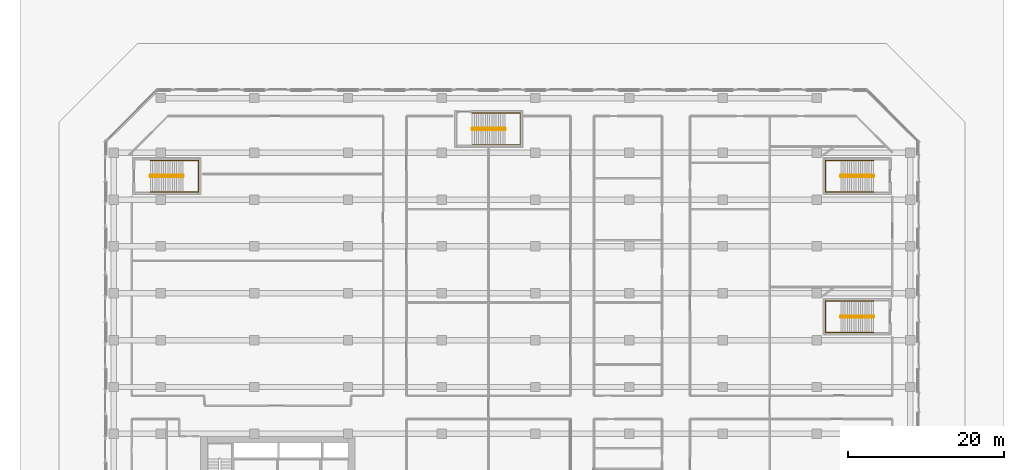
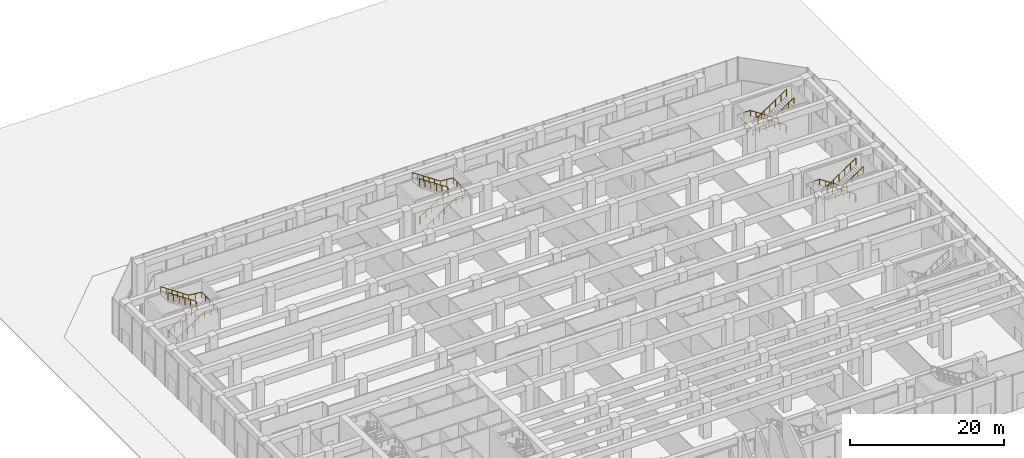
# One storey, part 31 of 32: 8 railings.
"""IFC4 building model written with IfcOpenShell, lengths in metres."""

from ifc_helpers import new_model, si_unit, direction, frame, origin, origin_2d, place, context, subcontext, project, spatial, circle, extrude, material, type_object, element, save


model = new_model("IFC4")

# Units and contexts
model_context = context("Model", 3, precision=1e-05, world=origin(), true_north=direction((0.0, 1.0)))
body_context = subcontext(model_context, "Body", "Model", "MODEL_VIEW")
ifc_project = project(units=[si_unit("LENGTHUNIT", "METRE"), si_unit("AREAUNIT", "SQUARE_METRE"), si_unit("VOLUMEUNIT", "CUBIC_METRE"), si_unit("PLANEANGLEUNIT", "RADIAN"), si_unit("MASSUNIT", "GRAM", prefix="KILO")], contexts=[model_context])

# Site, building, storey
site_placement = place(None, origin())
site = spatial("IfcSite", under=ifc_project, at=site_placement, CompositionType="ELEMENT")
building_placement = place(site_placement, origin())
building = spatial("IfcBuilding", under=site, at=building_placement, Name="Welwitschia Terrace Campus", CompositionType="ELEMENT")
storey_placement = place(building_placement, origin())
storey = spatial("IfcBuildingStorey", under=building, at=storey_placement, Name="L00", CompositionType="ELEMENT", Elevation=0.0)

# Railings
ifc_material_1 = material(Name="Steel S355", Category="steel")
railing_type_1 = type_object("IfcRailingType", Name="Stair guard 1100", PredefinedType="GUARDRAIL", material=ifc_material_1)
railing_1_placement = place(storey_placement, frame((91.35009765625, 58.925048828125, 0.0)))
element("IfcRailing", 1, at=railing_1_placement, inside=storey, type_object=railing_type_1, Name="L00 P3 stair guard", PredefinedType="GUARDRAIL", context=body_context, shape_type="SweptSolid", body=[
    extrude(circle(Radius=0.02392578125, at=origin_2d()), frame((0.0, 0.0, 1.076171875), z_axis=(0.0, 1.0, 0.0), x_axis=(-1.0, 0.0, 0.0)), (0.0, 0.0, 1.0), 0.14990234375),
    extrude(circle(Radius=0.02392578125, at=origin_2d()), frame((0.0, 0.14990234375, 1.076171875), z_axis=(-0.249726431254, 0.249726431254, 0.935560483917), x_axis=(-0.707106781187, -0.707106781187, 0.0)), (0.0, 0.0, 1.0), 0.200439453125),
    extrude(circle(Radius=0.02392578125, at=origin_2d()), frame((-0.050048828125, 0.199951171875, 1.263671875), z_axis=(-0.830904186295, 0.0, 0.556415522067), x_axis=(0.0, -1.0, 0.0)), (0.0, 0.0, 1.0), 5.0546875),
    extrude(circle(Radius=0.02392578125, at=origin_2d()), frame((-4.25, 0.199951171875, 4.076171875), z_axis=(-0.707106781187, -0.707106781187, 0.0), x_axis=(0.707106781187, -0.707106781187, 0.0)), (0.0, 0.0, 1.0), 0.07080078125),
    extrude(circle(Radius=0.02392578125, at=origin_2d()), frame((-4.300048828125, 0.14990234375, 4.076171875), z_axis=(0.0, -1.0, 0.0), x_axis=(1.0, 0.0, 0.0)), (0.0, 0.0, 1.0), 0.14990234375),
    extrude(circle(Radius=0.02392578125, at=origin_2d()), frame((-4.300048828125, 0.0, 4.076171875), z_axis=(0.249726431254, -0.249726431254, 0.935560483917), x_axis=(0.707106781187, 0.707106781187, 0.0)), (0.0, 0.0, 1.0), 0.200439453125),
    extrude(circle(Radius=0.02392578125, at=origin_2d()), frame((-4.25, -0.050048828125, 4.263671875), z_axis=(0.830904186295, 0.0, 0.556415522067), x_axis=(0.0, 1.0, 0.0)), (0.0, 0.0, 1.0), 5.0546875),
    extrude(circle(Radius=0.02099609375, at=origin_2d()), origin(), (0.0, 0.0, 1.0), 1.052001953125),
    extrude(circle(Radius=0.02099609375, at=origin_2d()), frame((0.0, 0.14990234375, 0.0)), (0.0, 0.0, 1.0), 1.052001953125),
    extrude(circle(Radius=0.02099609375, at=origin_2d()), frame((-0.050048828125, 0.199951171875, 0.1875)), (0.0, 0.0, 1.0), 1.052001953125),
    extrude(circle(Radius=0.02099609375, at=origin_2d()), frame((-0.89013671875, 0.199951171875, 0.75)), (0.0, 0.0, 1.0), 1.052001953125),
    extrude(circle(Radius=0.02099609375, at=origin_2d()), frame((-1.72998046875, 0.199951171875, 1.3125)), (0.0, 0.0, 1.0), 1.052001953125),
    extrude(circle(Radius=0.02099609375, at=origin_2d()), frame((-2.570068359375, 0.199951171875, 1.875)), (0.0, 0.0, 1.0), 1.052001953125),
    extrude(circle(Radius=0.02099609375, at=origin_2d()), frame((-3.409912109375, 0.199951171875, 2.4375)), (0.0, 0.0, 1.0), 1.052001953125),
    extrude(circle(Radius=0.02099609375, at=origin_2d()), frame((-4.25, 0.199951171875, 3.0)), (0.0, 0.0, 1.0), 1.052001953125),
    extrude(circle(Radius=0.02099609375, at=origin_2d()), frame((-4.300048828125, 0.14990234375, 3.0)), (0.0, 0.0, 1.0), 1.052001953125),
    extrude(circle(Radius=0.02099609375, at=origin_2d()), frame((-4.300048828125, 0.0, 3.0)), (0.0, 0.0, 1.0), 1.052001953125),
    extrude(circle(Radius=0.02099609375, at=origin_2d()), frame((-4.25, -0.050048828125, 3.1875)), (0.0, 0.0, 1.0), 1.052001953125),
    extrude(circle(Radius=0.02099609375, at=origin_2d()), frame((-3.409912109375, -0.050048828125, 3.75)), (0.0, 0.0, 1.0), 1.052001953125),
    extrude(circle(Radius=0.02099609375, at=origin_2d()), frame((-2.570068359375, -0.050048828125, 4.3125)), (0.0, 0.0, 1.0), 1.052001953125),
    extrude(circle(Radius=0.02099609375, at=origin_2d()), frame((-1.72998046875, -0.050048828125, 4.875)), (0.0, 0.0, 1.0), 1.052001953125),
    extrude(circle(Radius=0.02099609375, at=origin_2d()), frame((-0.89013671875, -0.050048828125, 5.4375)), (0.0, 0.0, 1.0), 1.052001953125),
    extrude(circle(Radius=0.02099609375, at=origin_2d()), frame((-0.050048828125, -0.050048828125, 6.0)), (0.0, 0.0, 1.0), 1.052001953125),
])
railing_2_placement = place(storey_placement, frame((-1.35009765625, 59.074951171875, 0.0)))
element("IfcRailing", 2, at=railing_2_placement, inside=storey, type_object=railing_type_1, Name="L00 P4 stair guard", PredefinedType="GUARDRAIL", context=body_context, shape_type="SweptSolid", body=[
    extrude(circle(Radius=0.02392578125, at=origin_2d()), frame((0.0, 0.0, 1.076171875), z_axis=(0.0, -1.0, 0.0), x_axis=(1.0, 0.0, 0.0)), (0.0, 0.0, 1.0), 0.14990234375),
    extrude(circle(Radius=0.02392578125, at=origin_2d()), frame((0.0, -0.14990234375, 1.076171875), z_axis=(0.249726431254, -0.249726431254, 0.935560483917), x_axis=(0.707106781187, 0.707106781187, 0.0)), (0.0, 0.0, 1.0), 0.200439453125),
    extrude(circle(Radius=0.02392578125, at=origin_2d()), frame((0.050048828125, -0.199951171875, 1.263671875), z_axis=(0.830904186295, 0.0, 0.556415522067), x_axis=(0.0, 1.0, 0.0)), (0.0, 0.0, 1.0), 5.0546875),
    extrude(circle(Radius=0.02392578125, at=origin_2d()), frame((4.25, -0.199951171875, 4.076171875), z_axis=(0.707106781187, 0.707106781187, 0.0), x_axis=(-0.707106781187, 0.707106781187, 0.0)), (0.0, 0.0, 1.0), 0.07080078125),
    extrude(circle(Radius=0.02392578125, at=origin_2d()), frame((4.300048828125, -0.14990234375, 4.076171875), z_axis=(0.0, 1.0, 0.0), x_axis=(-1.0, 0.0, 0.0)), (0.0, 0.0, 1.0), 0.14990234375),
    extrude(circle(Radius=0.02392578125, at=origin_2d()), frame((4.300048828125, 0.0, 4.076171875), z_axis=(-0.249726431254, 0.249726431254, 0.935560483917), x_axis=(-0.707106781187, -0.707106781187, 0.0)), (0.0, 0.0, 1.0), 0.200439453125),
    extrude(circle(Radius=0.02392578125, at=origin_2d()), frame((4.25, 0.050048828125, 4.263671875), z_axis=(-0.830904186295, 0.0, 0.556415522067), x_axis=(0.0, -1.0, 0.0)), (0.0, 0.0, 1.0), 5.0546875),
    extrude(circle(Radius=0.02099609375, at=origin_2d()), origin(), (0.0, 0.0, 1.0), 1.052001953125),
    extrude(circle(Radius=0.02099609375, at=origin_2d()), frame((0.0, -0.14990234375, 0.0)), (0.0, 0.0, 1.0), 1.052001953125),
    extrude(circle(Radius=0.02099609375, at=origin_2d()), frame((0.050048828125, -0.199951171875, 0.1875)), (0.0, 0.0, 1.0), 1.052001953125),
    extrude(circle(Radius=0.02099609375, at=origin_2d()), frame((0.89013671875, -0.199951171875, 0.75)), (0.0, 0.0, 1.0), 1.052001953125),
    extrude(circle(Radius=0.02099609375, at=origin_2d()), frame((1.72998046875, -0.199951171875, 1.3125)), (0.0, 0.0, 1.0), 1.052001953125),
    extrude(circle(Radius=0.02099609375, at=origin_2d()), frame((2.570068359375, -0.199951171875, 1.875)), (0.0, 0.0, 1.0), 1.052001953125),
    extrude(circle(Radius=0.02099609375, at=origin_2d()), frame((3.409912109375, -0.199951171875, 2.4375)), (0.0, 0.0, 1.0), 1.052001953125),
    extrude(circle(Radius=0.02099609375, at=origin_2d()), frame((4.25, -0.199951171875, 3.0)), (0.0, 0.0, 1.0), 1.052001953125),
    extrude(circle(Radius=0.02099609375, at=origin_2d()), frame((4.300048828125, -0.14990234375, 3.0)), (0.0, 0.0, 1.0), 1.052001953125),
    extrude(circle(Radius=0.02099609375, at=origin_2d()), frame((4.300048828125, 0.0, 3.0)), (0.0, 0.0, 1.0), 1.052001953125),
    extrude(circle(Radius=0.02099609375, at=origin_2d()), frame((4.25, 0.050048828125, 3.1875)), (0.0, 0.0, 1.0), 1.052001953125),
    extrude(circle(Radius=0.02099609375, at=origin_2d()), frame((3.409912109375, 0.050048828125, 3.75)), (0.0, 0.0, 1.0), 1.052001953125),
    extrude(circle(Radius=0.02099609375, at=origin_2d()), frame((2.570068359375, 0.050048828125, 4.3125)), (0.0, 0.0, 1.0), 1.052001953125),
    extrude(circle(Radius=0.02099609375, at=origin_2d()), frame((1.72998046875, 0.050048828125, 4.875)), (0.0, 0.0, 1.0), 1.052001953125),
    extrude(circle(Radius=0.02099609375, at=origin_2d()), frame((0.89013671875, 0.050048828125, 5.4375)), (0.0, 0.0, 1.0), 1.052001953125),
    extrude(circle(Radius=0.02099609375, at=origin_2d()), frame((0.050048828125, 0.050048828125, 6.0)), (0.0, 0.0, 1.0), 1.052001953125),
])
railing_3_placement = place(storey_placement, frame((39.85009765625, 65.125, 0.0)))
element("IfcRailing", 3, at=railing_3_placement, inside=storey, type_object=railing_type_1, Name="L00 P7 stair guard", PredefinedType="GUARDRAIL", context=body_context, shape_type="SweptSolid", body=[
    extrude(circle(Radius=0.02392578125, at=origin_2d()), frame((0.0, 0.0, 1.076171875), z_axis=(0.0, -1.0, 0.0), x_axis=(1.0, 0.0, 0.0)), (0.0, 0.0, 1.0), 0.14990234375),
    extrude(circle(Radius=0.02392578125, at=origin_2d()), frame((0.0, -0.14990234375, 1.076171875), z_axis=(0.248583702486, -0.249802250048, 0.935844527007), x_axis=(0.708833529934, 0.705375805398, 0.0)), (0.0, 0.0, 1.0), 0.200439453125),
    extrude(circle(Radius=0.02392578125, at=origin_2d()), frame((0.0498046875, -0.199951171875, 1.263671875), z_axis=(0.830919138977, 0.0, 0.55639319234), x_axis=(0.0, 1.0, 0.0)), (0.0, 0.0, 1.0), 5.054931640625),
    extrude(circle(Radius=0.02392578125, at=origin_2d()), frame((4.25, -0.199951171875, 4.076171875), z_axis=(0.705375805398, 0.708833529934, 0.0), x_axis=(-0.708833529934, 0.705375805398, 0.0)), (0.0, 0.0, 1.0), 0.070556640625),
    extrude(circle(Radius=0.02392578125, at=origin_2d()), frame((4.2998046875, -0.14990234375, 4.076171875), z_axis=(0.0, 1.0, 0.0), x_axis=(-1.0, 0.0, 0.0)), (0.0, 0.0, 1.0), 0.14990234375),
    extrude(circle(Radius=0.02392578125, at=origin_2d()), frame((4.2998046875, 0.0, 4.076171875), z_axis=(-0.248583702486, 0.249802250048, 0.935844527007), x_axis=(-0.708833529934, -0.705375805398, 0.0)), (0.0, 0.0, 1.0), 0.200439453125),
    extrude(circle(Radius=0.02392578125, at=origin_2d()), frame((4.25, 0.050048828125, 4.263671875), z_axis=(-0.830919138977, 0.0, 0.55639319234), x_axis=(0.0, -1.0, 0.0)), (0.0, 0.0, 1.0), 5.054931640625),
    extrude(circle(Radius=0.02099609375, at=origin_2d()), origin(), (0.0, 0.0, 1.0), 1.052001953125),
    extrude(circle(Radius=0.02099609375, at=origin_2d()), frame((0.0, -0.14990234375, 0.0)), (0.0, 0.0, 1.0), 1.052001953125),
    extrude(circle(Radius=0.02099609375, at=origin_2d()), frame((0.0498046875, -0.199951171875, 0.1875)), (0.0, 0.0, 1.0), 1.052001953125),
    extrude(circle(Radius=0.02099609375, at=origin_2d()), frame((0.889892578125, -0.199951171875, 0.75)), (0.0, 0.0, 1.0), 1.052001953125),
    extrude(circle(Radius=0.02099609375, at=origin_2d()), frame((1.72998046875, -0.199951171875, 1.3125)), (0.0, 0.0, 1.0), 1.052001953125),
    extrude(circle(Radius=0.02099609375, at=origin_2d()), frame((2.56982421875, -0.199951171875, 1.875)), (0.0, 0.0, 1.0), 1.052001953125),
    extrude(circle(Radius=0.02099609375, at=origin_2d()), frame((3.409912109375, -0.199951171875, 2.4375)), (0.0, 0.0, 1.0), 1.052001953125),
    extrude(circle(Radius=0.02099609375, at=origin_2d()), frame((4.25, -0.199951171875, 3.0)), (0.0, 0.0, 1.0), 1.052001953125),
    extrude(circle(Radius=0.02099609375, at=origin_2d()), frame((4.2998046875, -0.14990234375, 3.0)), (0.0, 0.0, 1.0), 1.052001953125),
    extrude(circle(Radius=0.02099609375, at=origin_2d()), frame((4.2998046875, 0.0, 3.0)), (0.0, 0.0, 1.0), 1.052001953125),
    extrude(circle(Radius=0.02099609375, at=origin_2d()), frame((4.25, 0.050048828125, 3.1875)), (0.0, 0.0, 1.0), 1.052001953125),
    extrude(circle(Radius=0.02099609375, at=origin_2d()), frame((3.409912109375, 0.050048828125, 3.75)), (0.0, 0.0, 1.0), 1.052001953125),
    extrude(circle(Radius=0.02099609375, at=origin_2d()), frame((2.56982421875, 0.050048828125, 4.3125)), (0.0, 0.0, 1.0), 1.052001953125),
    extrude(circle(Radius=0.02099609375, at=origin_2d()), frame((1.72998046875, 0.050048828125, 4.875)), (0.0, 0.0, 1.0), 1.052001953125),
    extrude(circle(Radius=0.02099609375, at=origin_2d()), frame((0.889892578125, 0.050048828125, 5.4375)), (0.0, 0.0, 1.0), 1.052001953125),
    extrude(circle(Radius=0.02099609375, at=origin_2d()), frame((0.0498046875, 0.050048828125, 6.0)), (0.0, 0.0, 1.0), 1.052001953125),
])
railing_4_placement = place(storey_placement, frame((91.35009765625, 40.925048828125, 0.0)))
element("IfcRailing", 4, at=railing_4_placement, inside=storey, type_object=railing_type_1, Name="L00 P8 stair guard", PredefinedType="GUARDRAIL", context=body_context, shape_type="SweptSolid", body=[
    extrude(circle(Radius=0.02392578125, at=origin_2d()), frame((0.0, 0.0, 1.076171875), z_axis=(0.0, 1.0, 0.0), x_axis=(-1.0, 0.0, 0.0)), (0.0, 0.0, 1.0), 0.14990234375),
    extrude(circle(Radius=0.02392578125, at=origin_2d()), frame((0.0, 0.14990234375, 1.076171875), z_axis=(-0.249726431254, 0.249726431254, 0.935560483917), x_axis=(-0.707106781187, -0.707106781187, 0.0)), (0.0, 0.0, 1.0), 0.200439453125),
    extrude(circle(Radius=0.02392578125, at=origin_2d()), frame((-0.050048828125, 0.199951171875, 1.263671875), z_axis=(-0.830904186295, 0.0, 0.556415522067), x_axis=(0.0, -1.0, 0.0)), (0.0, 0.0, 1.0), 5.0546875),
    extrude(circle(Radius=0.02392578125, at=origin_2d()), frame((-4.25, 0.199951171875, 4.076171875), z_axis=(-0.707106781187, -0.707106781187, 0.0), x_axis=(0.707106781187, -0.707106781187, 0.0)), (0.0, 0.0, 1.0), 0.07080078125),
    extrude(circle(Radius=0.02392578125, at=origin_2d()), frame((-4.300048828125, 0.14990234375, 4.076171875), z_axis=(0.0, -1.0, 0.0), x_axis=(1.0, 0.0, 0.0)), (0.0, 0.0, 1.0), 0.14990234375),
    extrude(circle(Radius=0.02392578125, at=origin_2d()), frame((-4.300048828125, 0.0, 4.076171875), z_axis=(0.249726431254, -0.249726431254, 0.935560483917), x_axis=(0.707106781187, 0.707106781187, 0.0)), (0.0, 0.0, 1.0), 0.200439453125),
    extrude(circle(Radius=0.02392578125, at=origin_2d()), frame((-4.25, -0.050048828125, 4.263671875), z_axis=(0.830904186295, 0.0, 0.556415522067), x_axis=(0.0, 1.0, 0.0)), (0.0, 0.0, 1.0), 5.0546875),
    extrude(circle(Radius=0.02099609375, at=origin_2d()), origin(), (0.0, 0.0, 1.0), 1.052001953125),
    extrude(circle(Radius=0.02099609375, at=origin_2d()), frame((0.0, 0.14990234375, 0.0)), (0.0, 0.0, 1.0), 1.052001953125),
    extrude(circle(Radius=0.02099609375, at=origin_2d()), frame((-0.050048828125, 0.199951171875, 0.1875)), (0.0, 0.0, 1.0), 1.052001953125),
    extrude(circle(Radius=0.02099609375, at=origin_2d()), frame((-0.89013671875, 0.199951171875, 0.75)), (0.0, 0.0, 1.0), 1.052001953125),
    extrude(circle(Radius=0.02099609375, at=origin_2d()), frame((-1.72998046875, 0.199951171875, 1.3125)), (0.0, 0.0, 1.0), 1.052001953125),
    extrude(circle(Radius=0.02099609375, at=origin_2d()), frame((-2.570068359375, 0.199951171875, 1.875)), (0.0, 0.0, 1.0), 1.052001953125),
    extrude(circle(Radius=0.02099609375, at=origin_2d()), frame((-3.409912109375, 0.199951171875, 2.4375)), (0.0, 0.0, 1.0), 1.052001953125),
    extrude(circle(Radius=0.02099609375, at=origin_2d()), frame((-4.25, 0.199951171875, 3.0)), (0.0, 0.0, 1.0), 1.052001953125),
    extrude(circle(Radius=0.02099609375, at=origin_2d()), frame((-4.300048828125, 0.14990234375, 3.0)), (0.0, 0.0, 1.0), 1.052001953125),
    extrude(circle(Radius=0.02099609375, at=origin_2d()), frame((-4.300048828125, 0.0, 3.0)), (0.0, 0.0, 1.0), 1.052001953125),
    extrude(circle(Radius=0.02099609375, at=origin_2d()), frame((-4.25, -0.050048828125, 3.1875)), (0.0, 0.0, 1.0), 1.052001953125),
    extrude(circle(Radius=0.02099609375, at=origin_2d()), frame((-3.409912109375, -0.050048828125, 3.75)), (0.0, 0.0, 1.0), 1.052001953125),
    extrude(circle(Radius=0.02099609375, at=origin_2d()), frame((-2.570068359375, -0.050048828125, 4.3125)), (0.0, 0.0, 1.0), 1.052001953125),
    extrude(circle(Radius=0.02099609375, at=origin_2d()), frame((-1.72998046875, -0.050048828125, 4.875)), (0.0, 0.0, 1.0), 1.052001953125),
    extrude(circle(Radius=0.02099609375, at=origin_2d()), frame((-0.89013671875, -0.050048828125, 5.4375)), (0.0, 0.0, 1.0), 1.052001953125),
    extrude(circle(Radius=0.02099609375, at=origin_2d()), frame((-0.050048828125, -0.050048828125, 6.0)), (0.0, 0.0, 1.0), 1.052001953125),
])
ifc_material_2 = material(Name="Steel S355", Category="steel")
railing_type_2 = type_object("IfcRailingType", Name="Stair handrail 900", PredefinedType="HANDRAIL", material=ifc_material_2)
railing_5_placement = place(storey_placement, frame((91.300048828125, 61.02490234375, 0.1875)))
element("IfcRailing", 5, at=railing_5_placement, inside=storey, type_object=railing_type_2, Name="L00 P3 stair handrail", PredefinedType="HANDRAIL", context=body_context, shape_type="SweptSolid", body=[
    extrude(circle(Radius=0.02392578125, at=origin_2d()), frame((0.0, 0.0, 0.8759765625), z_axis=(-0.830904186295, 0.0, 0.556415522067), x_axis=(0.0, -1.0, 0.0)), (0.0, 0.0, 1.0), 5.0546875),
    extrude(circle(Radius=0.02392578125, at=origin_2d()), frame((-4.199951171875, 0.0, 3.6884765625), z_axis=(-1.0, 0.0, 0.0), x_axis=(0.0, -1.0, 0.0)), (0.0, 0.0, 1.0), 1.9501953125),
    extrude(circle(Radius=0.02392578125, at=origin_2d()), frame((-6.150146484375, 0.0, 3.6884765625), z_axis=(0.0, -1.0, 0.0), x_axis=(1.0, 0.0, 0.0)), (0.0, 0.0, 1.0), 4.0498046875),
    extrude(circle(Radius=0.02392578125, at=origin_2d()), frame((-6.150146484375, -4.0498046875, 3.6884765625), z_axis=(0.995409942306, 0.0, 0.095702908825), x_axis=(0.0, 1.0, 0.0)), (0.0, 0.0, 1.0), 1.959228515625),
    extrude(circle(Radius=0.02392578125, at=origin_2d()), frame((-4.199951171875, -4.0498046875, 3.8759765625), z_axis=(0.830904186295, 0.0, 0.556415522067), x_axis=(0.0, 1.0, 0.0)), (0.0, 0.0, 1.0), 5.0546875),
    extrude(circle(Radius=0.02099609375, at=origin_2d()), origin(), (0.0, 0.0, 1.0), 0.851806640625),
    extrude(circle(Radius=0.02099609375, at=origin_2d()), frame((-0.840087890625, 0.0, 0.5625)), (0.0, 0.0, 1.0), 0.851806640625),
    extrude(circle(Radius=0.02099609375, at=origin_2d()), frame((-1.679931640625, 0.0, 1.125)), (0.0, 0.0, 1.0), 0.851806640625),
    extrude(circle(Radius=0.02099609375, at=origin_2d()), frame((-2.52001953125, 0.0, 1.6875)), (0.0, 0.0, 1.0), 0.851806640625),
    extrude(circle(Radius=0.02099609375, at=origin_2d()), frame((-3.35986328125, 0.0, 2.25)), (0.0, 0.0, 1.0), 0.851806640625),
    extrude(circle(Radius=0.02099609375, at=origin_2d()), frame((-4.199951171875, 0.0, 2.8125)), (0.0, 0.0, 1.0), 0.851806640625),
    extrude(circle(Radius=0.02099609375, at=origin_2d()), frame((-5.175048828125, 0.0, 2.8125)), (0.0, 0.0, 1.0), 0.851806640625),
    extrude(circle(Radius=0.02099609375, at=origin_2d()), frame((-6.150146484375, 0.0, 2.8125)), (0.0, 0.0, 1.0), 0.851806640625),
    extrude(circle(Radius=0.02099609375, at=origin_2d()), frame((-6.150146484375, -1.012451171875, 2.8125)), (0.0, 0.0, 1.0), 0.851806640625),
    extrude(circle(Radius=0.02099609375, at=origin_2d()), frame((-6.150146484375, -2.02490234375, 2.8125)), (0.0, 0.0, 1.0), 0.851806640625),
    extrude(circle(Radius=0.02099609375, at=origin_2d()), frame((-6.150146484375, -3.037353515625, 2.8125)), (0.0, 0.0, 1.0), 0.851806640625),
    extrude(circle(Radius=0.02099609375, at=origin_2d()), frame((-6.150146484375, -4.0498046875, 2.8125)), (0.0, 0.0, 1.0), 0.851806640625),
    extrude(circle(Radius=0.02099609375, at=origin_2d()), frame((-5.175048828125, -4.0498046875, 2.90625)), (0.0, 0.0, 1.0), 0.851806640625),
    extrude(circle(Radius=0.02099609375, at=origin_2d()), frame((-4.199951171875, -4.0498046875, 3.0)), (0.0, 0.0, 1.0), 0.851806640625),
    extrude(circle(Radius=0.02099609375, at=origin_2d()), frame((-3.35986328125, -4.0498046875, 3.5625)), (0.0, 0.0, 1.0), 0.851806640625),
    extrude(circle(Radius=0.02099609375, at=origin_2d()), frame((-2.52001953125, -4.0498046875, 4.125)), (0.0, 0.0, 1.0), 0.851806640625),
    extrude(circle(Radius=0.02099609375, at=origin_2d()), frame((-1.679931640625, -4.0498046875, 4.6875)), (0.0, 0.0, 1.0), 0.851806640625),
    extrude(circle(Radius=0.02099609375, at=origin_2d()), frame((-0.840087890625, -4.0498046875, 5.25)), (0.0, 0.0, 1.0), 0.851806640625),
    extrude(circle(Radius=0.02099609375, at=origin_2d()), frame((0.0, -4.0498046875, 5.8125)), (0.0, 0.0, 1.0), 0.851806640625),
])
railing_6_placement = place(storey_placement, frame((-1.300048828125, 56.97509765625, 0.1875)))
element("IfcRailing", 6, at=railing_6_placement, inside=storey, type_object=railing_type_2, Name="L00 P4 stair handrail", PredefinedType="HANDRAIL", context=body_context, shape_type="SweptSolid", body=[
    extrude(circle(Radius=0.02392578125, at=origin_2d()), frame((0.0, 0.0, 0.8759765625), z_axis=(0.830904186295, 0.0, 0.556415522067), x_axis=(0.0, 1.0, 0.0)), (0.0, 0.0, 1.0), 5.0546875),
    extrude(circle(Radius=0.02392578125, at=origin_2d()), frame((4.199951171875, 0.0, 3.6884765625), z_axis=(1.0, 0.0, 0.0), x_axis=(0.0, 1.0, 0.0)), (0.0, 0.0, 1.0), 1.9501953125),
    extrude(circle(Radius=0.02392578125, at=origin_2d()), frame((6.150146484375, 0.0, 3.6884765625), z_axis=(0.0, 1.0, 0.0), x_axis=(-1.0, 0.0, 0.0)), (0.0, 0.0, 1.0), 4.0498046875),
    extrude(circle(Radius=0.02392578125, at=origin_2d()), frame((6.150146484375, 4.0498046875, 3.6884765625), z_axis=(-0.995409942306, 0.0, 0.095702908825), x_axis=(0.0, -1.0, 0.0)), (0.0, 0.0, 1.0), 1.959228515625),
    extrude(circle(Radius=0.02392578125, at=origin_2d()), frame((4.199951171875, 4.0498046875, 3.8759765625), z_axis=(-0.830904186295, 0.0, 0.556415522067), x_axis=(0.0, -1.0, 0.0)), (0.0, 0.0, 1.0), 5.0546875),
    extrude(circle(Radius=0.02099609375, at=origin_2d()), origin(), (0.0, 0.0, 1.0), 0.851806640625),
    extrude(circle(Radius=0.02099609375, at=origin_2d()), frame((0.840087890625, 0.0, 0.5625)), (0.0, 0.0, 1.0), 0.851806640625),
    extrude(circle(Radius=0.02099609375, at=origin_2d()), frame((1.679931640625, 0.0, 1.125)), (0.0, 0.0, 1.0), 0.851806640625),
    extrude(circle(Radius=0.02099609375, at=origin_2d()), frame((2.52001953125, 0.0, 1.6875)), (0.0, 0.0, 1.0), 0.851806640625),
    extrude(circle(Radius=0.02099609375, at=origin_2d()), frame((3.35986328125, 0.0, 2.25)), (0.0, 0.0, 1.0), 0.851806640625),
    extrude(circle(Radius=0.02099609375, at=origin_2d()), frame((4.199951171875, 0.0, 2.8125)), (0.0, 0.0, 1.0), 0.851806640625),
    extrude(circle(Radius=0.02099609375, at=origin_2d()), frame((5.175048828125, 0.0, 2.8125)), (0.0, 0.0, 1.0), 0.851806640625),
    extrude(circle(Radius=0.02099609375, at=origin_2d()), frame((6.150146484375, 0.0, 2.8125)), (0.0, 0.0, 1.0), 0.851806640625),
    extrude(circle(Radius=0.02099609375, at=origin_2d()), frame((6.150146484375, 1.012451171875, 2.8125)), (0.0, 0.0, 1.0), 0.851806640625),
    extrude(circle(Radius=0.02099609375, at=origin_2d()), frame((6.150146484375, 2.02490234375, 2.8125)), (0.0, 0.0, 1.0), 0.851806640625),
    extrude(circle(Radius=0.02099609375, at=origin_2d()), frame((6.150146484375, 3.037353515625, 2.8125)), (0.0, 0.0, 1.0), 0.851806640625),
    extrude(circle(Radius=0.02099609375, at=origin_2d()), frame((6.150146484375, 4.0498046875, 2.8125)), (0.0, 0.0, 1.0), 0.851806640625),
    extrude(circle(Radius=0.02099609375, at=origin_2d()), frame((5.175048828125, 4.0498046875, 2.90625)), (0.0, 0.0, 1.0), 0.851806640625),
    extrude(circle(Radius=0.02099609375, at=origin_2d()), frame((4.199951171875, 4.0498046875, 3.0)), (0.0, 0.0, 1.0), 0.851806640625),
    extrude(circle(Radius=0.02099609375, at=origin_2d()), frame((3.35986328125, 4.0498046875, 3.5625)), (0.0, 0.0, 1.0), 0.851806640625),
    extrude(circle(Radius=0.02099609375, at=origin_2d()), frame((2.52001953125, 4.0498046875, 4.125)), (0.0, 0.0, 1.0), 0.851806640625),
    extrude(circle(Radius=0.02099609375, at=origin_2d()), frame((1.679931640625, 4.0498046875, 4.6875)), (0.0, 0.0, 1.0), 0.851806640625),
    extrude(circle(Radius=0.02099609375, at=origin_2d()), frame((0.840087890625, 4.0498046875, 5.25)), (0.0, 0.0, 1.0), 0.851806640625),
    extrude(circle(Radius=0.02099609375, at=origin_2d()), frame((0.0, 4.0498046875, 5.8125)), (0.0, 0.0, 1.0), 0.851806640625),
])
railing_7_placement = place(storey_placement, frame((39.89990234375, 63.02490234375, 0.1875)))
element("IfcRailing", 7, at=railing_7_placement, inside=storey, type_object=railing_type_2, Name="L00 P7 stair handrail", PredefinedType="HANDRAIL", context=body_context, shape_type="SweptSolid", body=[
    extrude(circle(Radius=0.02392578125, at=origin_2d()), frame((0.0, 0.0, 0.8759765625), z_axis=(0.830919138977, 0.0, 0.55639319234), x_axis=(0.0, 1.0, 0.0)), (0.0, 0.0, 1.0), 5.054931640625),
    extrude(circle(Radius=0.02392578125, at=origin_2d()), frame((4.2001953125, 0.0, 3.6884765625), z_axis=(1.0, 0.0, 0.0), x_axis=(0.0, 1.0, 0.0)), (0.0, 0.0, 1.0), 1.949951171875),
    extrude(circle(Radius=0.02392578125, at=origin_2d()), frame((6.150146484375, 0.0, 3.6884765625), z_axis=(0.0, 1.0, 0.0), x_axis=(-1.0, 0.0, 0.0)), (0.0, 0.0, 1.0), 4.050048828125),
    extrude(circle(Radius=0.02392578125, at=origin_2d()), frame((6.150146484375, 4.050048828125, 3.6884765625), z_axis=(-0.995408800756, 0.0, 0.095714781392), x_axis=(0.0, -1.0, 0.0)), (0.0, 0.0, 1.0), 1.958984375),
    extrude(circle(Radius=0.02392578125, at=origin_2d()), frame((4.2001953125, 4.050048828125, 3.8759765625), z_axis=(-0.830919138977, 0.0, 0.55639319234), x_axis=(0.0, -1.0, 0.0)), (0.0, 0.0, 1.0), 5.054931640625),
    extrude(circle(Radius=0.02099609375, at=origin_2d()), origin(), (0.0, 0.0, 1.0), 0.851806640625),
    extrude(circle(Radius=0.02099609375, at=origin_2d()), frame((0.840087890625, 0.0, 0.5625)), (0.0, 0.0, 1.0), 0.851806640625),
    extrude(circle(Radius=0.02099609375, at=origin_2d()), frame((1.68017578125, 0.0, 1.125)), (0.0, 0.0, 1.0), 0.851806640625),
    extrude(circle(Radius=0.02099609375, at=origin_2d()), frame((2.52001953125, 0.0, 1.6875)), (0.0, 0.0, 1.0), 0.851806640625),
    extrude(circle(Radius=0.02099609375, at=origin_2d()), frame((3.360107421875, 0.0, 2.25)), (0.0, 0.0, 1.0), 0.851806640625),
    extrude(circle(Radius=0.02099609375, at=origin_2d()), frame((4.2001953125, 0.0, 2.8125)), (0.0, 0.0, 1.0), 0.851806640625),
    extrude(circle(Radius=0.02099609375, at=origin_2d()), frame((5.17529296875, 0.0, 2.8125)), (0.0, 0.0, 1.0), 0.851806640625),
    extrude(circle(Radius=0.02099609375, at=origin_2d()), frame((6.150146484375, 0.0, 2.8125)), (0.0, 0.0, 1.0), 0.851806640625),
    extrude(circle(Radius=0.02099609375, at=origin_2d()), frame((6.150146484375, 1.012451171875, 2.8125)), (0.0, 0.0, 1.0), 0.851806640625),
    extrude(circle(Radius=0.02099609375, at=origin_2d()), frame((6.150146484375, 2.02490234375, 2.8125)), (0.0, 0.0, 1.0), 0.851806640625),
    extrude(circle(Radius=0.02099609375, at=origin_2d()), frame((6.150146484375, 3.03759765625, 2.8125)), (0.0, 0.0, 1.0), 0.851806640625),
    extrude(circle(Radius=0.02099609375, at=origin_2d()), frame((6.150146484375, 4.050048828125, 2.8125)), (0.0, 0.0, 1.0), 0.851806640625),
    extrude(circle(Radius=0.02099609375, at=origin_2d()), frame((5.17529296875, 4.050048828125, 2.90625)), (0.0, 0.0, 1.0), 0.851806640625),
    extrude(circle(Radius=0.02099609375, at=origin_2d()), frame((4.2001953125, 4.050048828125, 3.0)), (0.0, 0.0, 1.0), 0.851806640625),
    extrude(circle(Radius=0.02099609375, at=origin_2d()), frame((3.360107421875, 4.050048828125, 3.5625)), (0.0, 0.0, 1.0), 0.851806640625),
    extrude(circle(Radius=0.02099609375, at=origin_2d()), frame((2.52001953125, 4.050048828125, 4.125)), (0.0, 0.0, 1.0), 0.851806640625),
    extrude(circle(Radius=0.02099609375, at=origin_2d()), frame((1.68017578125, 4.050048828125, 4.6875)), (0.0, 0.0, 1.0), 0.851806640625),
    extrude(circle(Radius=0.02099609375, at=origin_2d()), frame((0.840087890625, 4.050048828125, 5.25)), (0.0, 0.0, 1.0), 0.851806640625),
    extrude(circle(Radius=0.02099609375, at=origin_2d()), frame((0.0, 4.050048828125, 5.8125)), (0.0, 0.0, 1.0), 0.851806640625),
])
railing_8_placement = place(storey_placement, frame((91.300048828125, 43.02490234375, 0.1875)))
element("IfcRailing", 8, at=railing_8_placement, inside=storey, type_object=railing_type_2, Name="L00 P8 stair handrail", PredefinedType="HANDRAIL", context=body_context, shape_type="SweptSolid", body=[
    extrude(circle(Radius=0.02392578125, at=origin_2d()), frame((0.0, 0.0, 0.8759765625), z_axis=(-0.830904186295, 0.0, 0.556415522067), x_axis=(0.0, -1.0, 0.0)), (0.0, 0.0, 1.0), 5.0546875),
    extrude(circle(Radius=0.02392578125, at=origin_2d()), frame((-4.199951171875, 0.0, 3.6884765625), z_axis=(-1.0, 0.0, 0.0), x_axis=(0.0, -1.0, 0.0)), (0.0, 0.0, 1.0), 1.9501953125),
    extrude(circle(Radius=0.02392578125, at=origin_2d()), frame((-6.150146484375, 0.0, 3.6884765625), z_axis=(0.0, -1.0, 0.0), x_axis=(1.0, 0.0, 0.0)), (0.0, 0.0, 1.0), 4.0498046875),
    extrude(circle(Radius=0.02392578125, at=origin_2d()), frame((-6.150146484375, -4.0498046875, 3.6884765625), z_axis=(0.995409942306, 0.0, 0.095702908825), x_axis=(0.0, 1.0, 0.0)), (0.0, 0.0, 1.0), 1.959228515625),
    extrude(circle(Radius=0.02392578125, at=origin_2d()), frame((-4.199951171875, -4.0498046875, 3.8759765625), z_axis=(0.830904186295, 0.0, 0.556415522067), x_axis=(0.0, 1.0, 0.0)), (0.0, 0.0, 1.0), 5.0546875),
    extrude(circle(Radius=0.02099609375, at=origin_2d()), origin(), (0.0, 0.0, 1.0), 0.851806640625),
    extrude(circle(Radius=0.02099609375, at=origin_2d()), frame((-0.840087890625, 0.0, 0.5625)), (0.0, 0.0, 1.0), 0.851806640625),
    extrude(circle(Radius=0.02099609375, at=origin_2d()), frame((-1.679931640625, 0.0, 1.125)), (0.0, 0.0, 1.0), 0.851806640625),
    extrude(circle(Radius=0.02099609375, at=origin_2d()), frame((-2.52001953125, 0.0, 1.6875)), (0.0, 0.0, 1.0), 0.851806640625),
    extrude(circle(Radius=0.02099609375, at=origin_2d()), frame((-3.35986328125, 0.0, 2.25)), (0.0, 0.0, 1.0), 0.851806640625),
    extrude(circle(Radius=0.02099609375, at=origin_2d()), frame((-4.199951171875, 0.0, 2.8125)), (0.0, 0.0, 1.0), 0.851806640625),
    extrude(circle(Radius=0.02099609375, at=origin_2d()), frame((-5.175048828125, 0.0, 2.8125)), (0.0, 0.0, 1.0), 0.851806640625),
    extrude(circle(Radius=0.02099609375, at=origin_2d()), frame((-6.150146484375, 0.0, 2.8125)), (0.0, 0.0, 1.0), 0.851806640625),
    extrude(circle(Radius=0.02099609375, at=origin_2d()), frame((-6.150146484375, -1.012451171875, 2.8125)), (0.0, 0.0, 1.0), 0.851806640625),
    extrude(circle(Radius=0.02099609375, at=origin_2d()), frame((-6.150146484375, -2.02490234375, 2.8125)), (0.0, 0.0, 1.0), 0.851806640625),
    extrude(circle(Radius=0.02099609375, at=origin_2d()), frame((-6.150146484375, -3.037353515625, 2.8125)), (0.0, 0.0, 1.0), 0.851806640625),
    extrude(circle(Radius=0.02099609375, at=origin_2d()), frame((-6.150146484375, -4.0498046875, 2.8125)), (0.0, 0.0, 1.0), 0.851806640625),
    extrude(circle(Radius=0.02099609375, at=origin_2d()), frame((-5.175048828125, -4.0498046875, 2.90625)), (0.0, 0.0, 1.0), 0.851806640625),
    extrude(circle(Radius=0.02099609375, at=origin_2d()), frame((-4.199951171875, -4.0498046875, 3.0)), (0.0, 0.0, 1.0), 0.851806640625),
    extrude(circle(Radius=0.02099609375, at=origin_2d()), frame((-3.35986328125, -4.0498046875, 3.5625)), (0.0, 0.0, 1.0), 0.851806640625),
    extrude(circle(Radius=0.02099609375, at=origin_2d()), frame((-2.52001953125, -4.0498046875, 4.125)), (0.0, 0.0, 1.0), 0.851806640625),
    extrude(circle(Radius=0.02099609375, at=origin_2d()), frame((-1.679931640625, -4.0498046875, 4.6875)), (0.0, 0.0, 1.0), 0.851806640625),
    extrude(circle(Radius=0.02099609375, at=origin_2d()), frame((-0.840087890625, -4.0498046875, 5.25)), (0.0, 0.0, 1.0), 0.851806640625),
    extrude(circle(Radius=0.02099609375, at=origin_2d()), frame((0.0, -4.0498046875, 5.8125)), (0.0, 0.0, 1.0), 0.851806640625),
])

save(model, "model.ifc")
